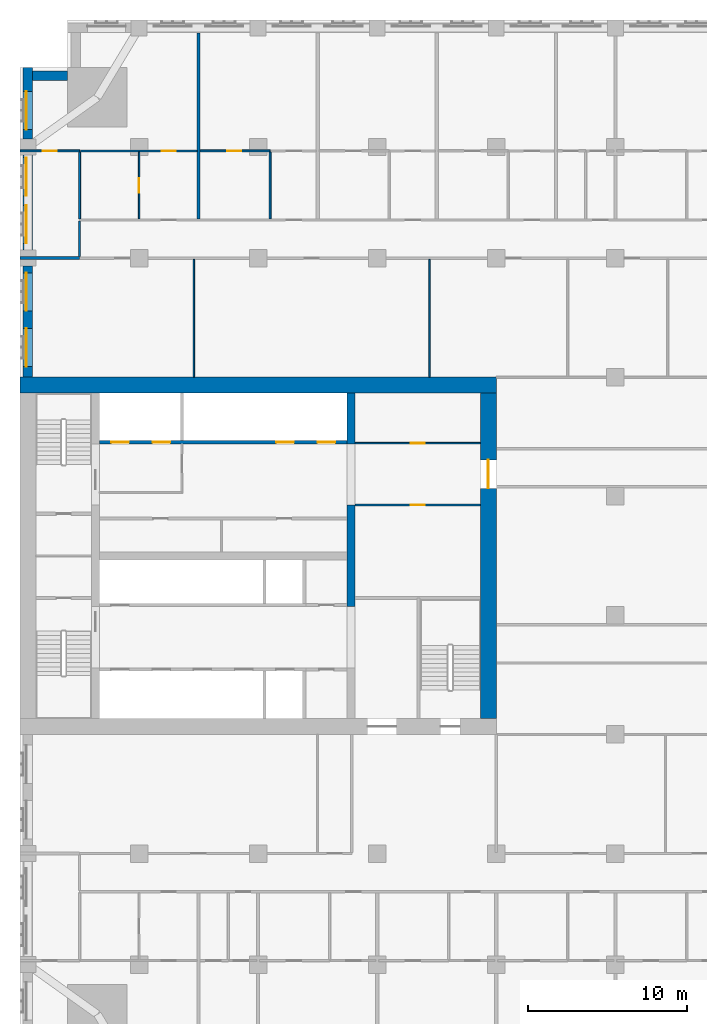
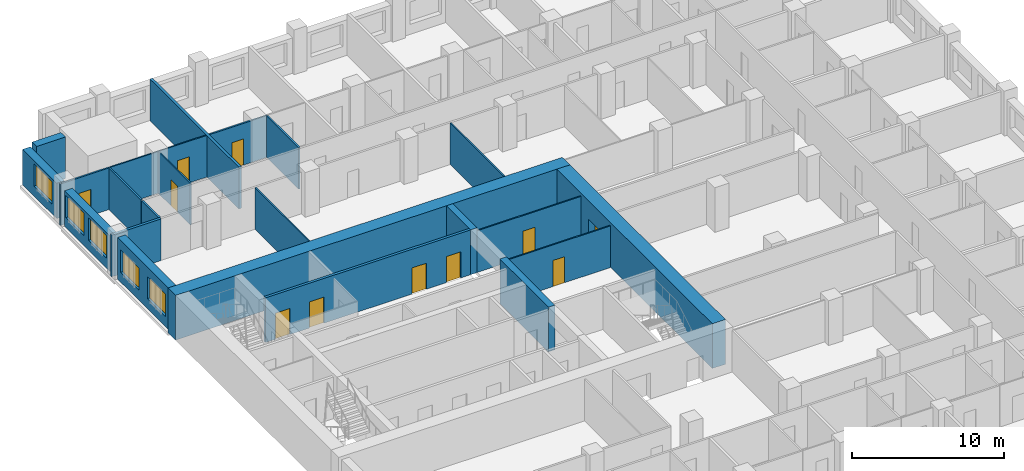
# One storey, part 8 of 14: 22 walls, 11 doors, 5 windows, 16 openings.
"""IFC4 building model written with IfcOpenShell, lengths in metres."""

from ifc_helpers import new_model, si_unit, direction, frame, frame_2d, origin, place, context, subcontext, project, spatial, rectangle, extrude, material, layer, layer_set, type_object, element, fill, save


model = new_model("IFC4")

# Units and contexts
model_context = context("Model", 3, precision=1e-05, world=origin(), true_north=direction((0.0, 1.0)))
body_context = subcontext(model_context, "Body", "Model", "MODEL_VIEW")
ifc_project = project(units=[si_unit("LENGTHUNIT", "METRE"), si_unit("AREAUNIT", "SQUARE_METRE"), si_unit("VOLUMEUNIT", "CUBIC_METRE"), si_unit("PLANEANGLEUNIT", "RADIAN"), si_unit("MASSUNIT", "GRAM", prefix="KILO")], contexts=[model_context])

# Site, building, storey
site_placement = place(None, origin())
site = spatial("IfcSite", under=ifc_project, at=site_placement, CompositionType="ELEMENT")
building_placement = place(site_placement, origin())
building = spatial("IfcBuilding", under=site, at=building_placement, Name="Tamorin Gate", CompositionType="ELEMENT")
storey_placement = place(building_placement, frame((0.0, 0.0, 100.699951171875)))
storey = spatial("IfcBuildingStorey", under=building, at=storey_placement, Name="L24", CompositionType="ELEMENT", Elevation=100.699951171875)

# Wall
ifc_material_1 = material(Name="Precast concrete C40/50", Category="concrete")
ifc_layer_1 = layer(ifc_material_1, 0.60009765625)
ifc_layer_set_1 = layer_set([ifc_layer_1], Name="Precast concrete C40/50")
wall_type_1 = type_object("IfcWallType", Name="Board-marked concrete facade panel 600", PredefinedType="SOLIDWALL", material=ifc_layer_set_1)
wall_1_placement = place(storey_placement, frame((33.0, 101.5, 0.0), z_axis=(0.0, 0.0, 1.0), x_axis=(-1.0, 0.0, 0.0)))
element("IfcWall", 1, at=wall_1_placement, inside=storey, type_object=wall_type_1, Name="Facade panel", PredefinedType="SOLIDWALL", context=body_context, shape_type="SweptSolid", body=[
    extrude(rectangle(XDim=2.199951171875, YDim=0.60009765625, at=frame_2d((1.10009765625, 0.0))), origin(), (0.0, 0.0, 1.0), 3.35009765625),
])

# Wall, opening, window
wall_2_placement = place(storey_placement, frame((30.5, 102.0, 0.0), z_axis=(0.0, 0.0, 1.0), x_axis=(0.0, -1.0, 0.0)))
wall_2 = element("IfcWall", 2, at=wall_2_placement, inside=storey, type_object=wall_type_1, Name="Facade panel", PredefinedType="SOLIDWALL", context=body_context, shape_type="SweptSolid", body=[
    extrude(rectangle(XDim=4.5, YDim=0.60009765625, at=frame_2d((2.25, 0.0))), origin(), (0.0, 0.0, 1.0), 2.85009765625),
])
opening_1_placement = place(wall_2_placement, frame((1.5, 0.0, 0.800048828125)))
opening_1 = element("IfcOpeningElement", 3, at=opening_1_placement, cuts=wall_2, Name="Opening WN1", PredefinedType="OPENING", context=body_context, shape_type="SweptSolid", body=[
    extrude(rectangle(XDim=2.39990234375, YDim=1.800048828125, at=frame_2d((1.199951171875, 0.89990234375))), frame((0.0, 0.31005859375, 0.0), z_axis=(0.0, -1.0, 0.0), x_axis=(1.0, 0.0, 0.0)), (0.0, 0.0, 1.0), 0.6201171875),
])
ifc_material_2 = material(Name="Clear glass in aluminium frame", Category="aluminium")
window_type = type_object("IfcWindowType", Name="Deep-set window 2400x1800", PartitioningType="SINGLE_PANEL", PredefinedType="WINDOW", material=ifc_material_2)
window_1_placement = place(opening_1_placement, origin())
window_1 = element("IfcWindow", 4, at=window_1_placement, inside=storey, type_object=window_type, Name="Deep-set window", OverallHeight=1.800048828125, OverallWidth=2.39990234375, PartitioningType="SINGLE_PANEL", PredefinedType="WINDOW", context=body_context, shape_type="SweptSolid", body=[
    extrude(rectangle(XDim=2.39990234375, YDim=1.800048828125, at=frame_2d((1.199951171875, 0.89990234375))), frame((0.0, -0.070068359375, 0.0), z_axis=(0.0, -1.0, 0.0), x_axis=(1.0, 0.0, 0.0)), (0.0, 0.0, 1.0), 0.06005859375),
])
fill(opening_1, window_1)

# Wall, openings, windows
wall_3_placement = place(storey_placement, frame((30.5, 96.5, 0.0), z_axis=(0.0, 0.0, 1.0), x_axis=(0.0, -1.0, 0.0)))
wall_3 = element("IfcWall", 5, at=wall_3_placement, inside=storey, type_object=wall_type_1, Name="Facade panel", PredefinedType="SOLIDWALL", context=body_context, shape_type="SweptSolid", body=[
    extrude(rectangle(XDim=6.0, YDim=0.60009765625, at=frame_2d((3.0, 0.0))), origin(), (0.0, 0.0, 1.0), 2.85009765625),
])
opening_2_placement = place(wall_3_placement, frame((3.175048828125, 0.0, 0.800048828125)))
opening_2 = element("IfcOpeningElement", 6, at=opening_2_placement, cuts=wall_3, Name="Opening WN1", PredefinedType="OPENING", context=body_context, shape_type="SweptSolid", body=[
    extrude(rectangle(XDim=2.39990234375, YDim=1.800048828125, at=frame_2d((1.199951171875, 0.89990234375))), frame((0.0, 0.31005859375, 0.0), z_axis=(0.0, -1.0, 0.0), x_axis=(1.0, 0.0, 0.0)), (0.0, 0.0, 1.0), 0.6201171875),
])
opening_3_placement = place(wall_3_placement, frame((0.175048828125, 0.0, 0.800048828125)))
opening_3 = element("IfcOpeningElement", 7, at=opening_3_placement, cuts=wall_3, Name="Opening WN1", PredefinedType="OPENING", context=body_context, shape_type="SweptSolid", body=[
    extrude(rectangle(XDim=2.39990234375, YDim=1.800048828125, at=frame_2d((1.199951171875, 0.89990234375))), frame((0.0, 0.31005859375, 0.0), z_axis=(0.0, -1.0, 0.0), x_axis=(1.0, 0.0, 0.0)), (0.0, 0.0, 1.0), 0.6201171875),
])
window_2_placement = place(opening_2_placement, origin())
window_2 = element("IfcWindow", 8, at=window_2_placement, inside=storey, type_object=window_type, Name="Deep-set window", OverallHeight=1.800048828125, OverallWidth=2.39990234375, PartitioningType="SINGLE_PANEL", PredefinedType="WINDOW", context=body_context, shape_type="SweptSolid", body=[
    extrude(rectangle(XDim=2.39990234375, YDim=1.800048828125, at=frame_2d((1.199951171875, 0.89990234375))), frame((0.0, -0.070068359375, 0.0), z_axis=(0.0, -1.0, 0.0), x_axis=(1.0, 0.0, 0.0)), (0.0, 0.0, 1.0), 0.06005859375),
])
fill(opening_2, window_2)
window_3_placement = place(opening_3_placement, origin())
window_3 = element("IfcWindow", 9, at=window_3_placement, inside=storey, type_object=window_type, Name="Deep-set window", OverallHeight=1.800048828125, OverallWidth=2.39990234375, PartitioningType="SINGLE_PANEL", PredefinedType="WINDOW", context=body_context, shape_type="SweptSolid", body=[
    extrude(rectangle(XDim=2.39990234375, YDim=1.800048828125, at=frame_2d((1.199951171875, 0.89990234375))), frame((0.0, -0.070068359375, 0.0), z_axis=(0.0, -1.0, 0.0), x_axis=(1.0, 0.0, 0.0)), (0.0, 0.0, 1.0), 0.06005859375),
])
fill(opening_3, window_3)

wall_4_placement = place(storey_placement, frame((30.5, 89.5, 0.0), z_axis=(0.0, 0.0, 1.0), x_axis=(0.0, -1.0, 0.0)))
wall_4 = element("IfcWall", 10, at=wall_4_placement, inside=storey, type_object=wall_type_1, Name="Facade panel", PredefinedType="SOLIDWALL", context=body_context, shape_type="SweptSolid", body=[
    extrude(rectangle(XDim=7.0, YDim=0.60009765625, at=frame_2d((3.5, 0.0))), origin(), (0.0, 0.0, 1.0), 3.35009765625),
])
opening_4_placement = place(wall_4_placement, frame((3.925048828125, 0.0, 0.800048828125)))
opening_4 = element("IfcOpeningElement", 11, at=opening_4_placement, cuts=wall_4, Name="Opening WN1", PredefinedType="OPENING", context=body_context, shape_type="SweptSolid", body=[
    extrude(rectangle(XDim=2.39990234375, YDim=1.800048828125, at=frame_2d((1.199951171875, 0.89990234375))), frame((0.0, 0.31005859375, 0.0), z_axis=(0.0, -1.0, 0.0), x_axis=(1.0, 0.0, 0.0)), (0.0, 0.0, 1.0), 0.6201171875),
])
opening_5_placement = place(wall_4_placement, frame((0.425048828125, 0.0, 0.800048828125)))
opening_5 = element("IfcOpeningElement", 12, at=opening_5_placement, cuts=wall_4, Name="Opening WN1", PredefinedType="OPENING", context=body_context, shape_type="SweptSolid", body=[
    extrude(rectangle(XDim=2.39990234375, YDim=1.800048828125, at=frame_2d((1.199951171875, 0.89990234375))), frame((0.0, 0.31005859375, 0.0), z_axis=(0.0, -1.0, 0.0), x_axis=(1.0, 0.0, 0.0)), (0.0, 0.0, 1.0), 0.6201171875),
])
window_4_placement = place(opening_4_placement, origin())
window_4 = element("IfcWindow", 13, at=window_4_placement, inside=storey, type_object=window_type, Name="Deep-set window", OverallHeight=1.800048828125, OverallWidth=2.39990234375, PartitioningType="SINGLE_PANEL", PredefinedType="WINDOW", context=body_context, shape_type="SweptSolid", body=[
    extrude(rectangle(XDim=2.39990234375, YDim=1.800048828125, at=frame_2d((1.199951171875, 0.89990234375))), frame((0.0, -0.070068359375, 0.0), z_axis=(0.0, -1.0, 0.0), x_axis=(1.0, 0.0, 0.0)), (0.0, 0.0, 1.0), 0.06005859375),
])
fill(opening_4, window_4)
window_5_placement = place(opening_5_placement, origin())
window_5 = element("IfcWindow", 14, at=window_5_placement, inside=storey, type_object=window_type, Name="Deep-set window", OverallHeight=1.800048828125, OverallWidth=2.39990234375, PartitioningType="SINGLE_PANEL", PredefinedType="WINDOW", context=body_context, shape_type="SweptSolid", body=[
    extrude(rectangle(XDim=2.39990234375, YDim=1.800048828125, at=frame_2d((1.199951171875, 0.89990234375))), frame((0.0, -0.070068359375, 0.0), z_axis=(0.0, -1.0, 0.0), x_axis=(1.0, 0.0, 0.0)), (0.0, 0.0, 1.0), 0.06005859375),
])
fill(opening_5, window_5)

# Walls
ifc_material_3 = material(Name="Gypsum board partition")
ifc_layer_2 = layer(ifc_material_3, 0.14990234375)
ifc_layer_set_2 = layer_set([ifc_layer_2], Name="Corridor wall 150")
wall_type_2 = type_object("IfcWallType", Name="Corridor wall 150", PredefinedType="PARTITIONING", material=ifc_layer_set_2)
wall_5_placement = place(storey_placement, frame((33.75, 90.10009765625, 0.0), z_axis=(0.0, 0.0, 1.0), x_axis=(0.0, 1.0, 0.0)))
element("IfcWall", 15, at=wall_5_placement, inside=storey, type_object=wall_type_2, Name="Corridor wall 150", PredefinedType="PARTITIONING", context=body_context, shape_type="SweptSolid", body=[
    extrude(rectangle(XDim=2.224853515625, YDim=0.14990234375, at=frame_2d((1.1123046875, 0.0))), origin(), (0.0, 0.0, 1.0), 3.35009765625),
])
ifc_layer_3 = layer(ifc_material_3, 0.199951171875)
ifc_layer_set_3 = layer_set([ifc_layer_3], Name="Demising wall 200")
wall_type_3 = type_object("IfcWallType", Name="Demising wall 200", PredefinedType="PARTITIONING", material=ifc_layer_set_3)
wall_6_placement = place(storey_placement, frame((30.0, 90.0, 0.0), z_axis=(0.0, 0.0, 1.0), x_axis=(1.0, 0.0, 0.0)))
element("IfcWall", 16, at=wall_6_placement, inside=storey, type_object=wall_type_3, Name="Demising wall 200", PredefinedType="PARTITIONING", context=body_context, shape_type="SweptSolid", body=[
    extrude(rectangle(XDim=3.75, YDim=0.199951171875, at=frame_2d((1.875, 0.0))), origin(), (0.0, 0.0, 1.0), 3.35009765625),
])
wall_7_placement = place(storey_placement, frame((41.25, 92.47509765625, 0.0), z_axis=(0.0, 0.0, 1.0), x_axis=(0.0, 1.0, 0.0)))
element("IfcWall", 17, at=wall_7_placement, inside=storey, type_object=wall_type_3, Name="Demising wall 200", PredefinedType="PARTITIONING", context=body_context, shape_type="SweptSolid", body=[
    extrude(rectangle(XDim=11.71484375, YDim=0.199951171875, at=frame_2d((5.857421875, 0.0))), origin(), (0.0, 0.0, 1.0), 3.35009765625),
])

# Wall, openings, doors
ifc_material_4 = material(Name="Concrete C32/40", Category="concrete")
ifc_layer_4 = layer(ifc_material_4, 0.199951171875)
ifc_layer_set_4 = layer_set([ifc_layer_4], Name="Lift lobby face wall 200 EI 120")
wall_type_4 = type_object("IfcWallType", Name="Lift lobby face wall 200 EI 120", PredefinedType="SOLIDWALL", material=ifc_layer_set_4)
wall_8_placement = place(storey_placement, frame((35.0, 78.39990234375, 0.0), z_axis=(0.0, 0.0, 1.0), x_axis=(1.0, 0.0, 0.0)))
wall_8 = element("IfcWall", 18, at=wall_8_placement, inside=storey, type_object=wall_type_4, Name="Lift lobby face wall", PredefinedType="SOLIDWALL", context=body_context, shape_type="SweptSolid", body=[
    extrude(rectangle(XDim=15.60009765625, YDim=0.199951171875, at=frame_2d((7.800048828125, 0.0))), origin(), (0.0, 0.0, 1.0), 3.60009765625),
])
opening_6_placement = place(wall_8_placement, frame((0.75, 0.0, 0.0)))
opening_6 = element("IfcOpeningElement", 19, at=opening_6_placement, cuts=wall_8, Name="Opening LD17", PredefinedType="OPENING", context=body_context, shape_type="SweptSolid", body=[
    extrude(rectangle(XDim=1.10009765625, YDim=2.10009765625, at=frame_2d((0.550048828125, 1.050048828125))), frame((0.0, 0.10986328125, 0.0), z_axis=(0.0, -1.0, 0.0), x_axis=(1.0, 0.0, 0.0)), (0.0, 0.0, 1.0), 0.219970703125),
])
opening_7_placement = place(wall_8_placement, frame((3.35009765625, 0.0, 0.0)))
opening_7 = element("IfcOpeningElement", 20, at=opening_7_placement, cuts=wall_8, Name="Opening LD18", PredefinedType="OPENING", context=body_context, shape_type="SweptSolid", body=[
    extrude(rectangle(XDim=1.10009765625, YDim=2.10009765625, at=frame_2d((0.550048828125, 1.050048828125))), frame((0.0, 0.10986328125, 0.0), z_axis=(0.0, -1.0, 0.0), x_axis=(1.0, 0.0, 0.0)), (0.0, 0.0, 1.0), 0.219970703125),
])
opening_8_placement = place(wall_8_placement, frame((11.14990234375, 0.0, 0.0)))
opening_8 = element("IfcOpeningElement", 21, at=opening_8_placement, cuts=wall_8, Name="Opening LD21", PredefinedType="OPENING", context=body_context, shape_type="SweptSolid", body=[
    extrude(rectangle(XDim=1.10009765625, YDim=2.10009765625, at=frame_2d((0.550048828125, 1.050048828125))), frame((0.0, 0.10986328125, 0.0), z_axis=(0.0, -1.0, 0.0), x_axis=(1.0, 0.0, 0.0)), (0.0, 0.0, 1.0), 0.219970703125),
])
opening_9_placement = place(wall_8_placement, frame((13.75, 0.0, 0.0)))
opening_9 = element("IfcOpeningElement", 22, at=opening_9_placement, cuts=wall_8, Name="Opening LD22", PredefinedType="OPENING", context=body_context, shape_type="SweptSolid", body=[
    extrude(rectangle(XDim=1.10009765625, YDim=2.10009765625, at=frame_2d((0.550048828125, 1.050048828125))), frame((0.0, 0.10986328125, 0.0), z_axis=(0.0, -1.0, 0.0), x_axis=(1.0, 0.0, 0.0)), (0.0, 0.0, 1.0), 0.219970703125),
])
ifc_material_5 = material(Name="Stainless steel sliding door", Category="steel")
door_type_1 = type_object("IfcDoorType", Name="Lift landing door 1100 x 2100 E 90", OperationType="DOUBLE_DOOR_SLIDING", PredefinedType="DOOR", material=ifc_material_5)
door_1_placement = place(opening_6_placement, origin())
door_1 = element("IfcDoor", 23, at=door_1_placement, inside=storey, type_object=door_type_1, Name="FF1 landing door", OperationType="DOUBLE_DOOR_SLIDING", OverallHeight=2.10009765625, OverallWidth=1.10009765625, PredefinedType="DOOR", context=body_context, shape_type="SweptSolid", body=[
    extrude(rectangle(XDim=1.10009765625, YDim=2.10009765625, at=frame_2d((0.550048828125, 1.050048828125))), frame((0.0, 0.02490234375, 0.0), z_axis=(0.0, -1.0, 0.0), x_axis=(1.0, 0.0, 0.0)), (0.0, 0.0, 1.0), 0.050048828125),
])
fill(opening_6, door_1)
door_2_placement = place(opening_7_placement, origin())
door_2 = element("IfcDoor", 24, at=door_2_placement, inside=storey, type_object=door_type_1, Name="FF2 landing door", OperationType="DOUBLE_DOOR_SLIDING", OverallHeight=2.10009765625, OverallWidth=1.10009765625, PredefinedType="DOOR", context=body_context, shape_type="SweptSolid", body=[
    extrude(rectangle(XDim=1.10009765625, YDim=2.10009765625, at=frame_2d((0.550048828125, 1.050048828125))), frame((0.0, 0.02490234375, 0.0), z_axis=(0.0, -1.0, 0.0), x_axis=(1.0, 0.0, 0.0)), (0.0, 0.0, 1.0), 0.050048828125),
])
fill(opening_7, door_2)
door_3_placement = place(opening_8_placement, origin())
door_3 = element("IfcDoor", 25, at=door_3_placement, inside=storey, type_object=door_type_1, Name="SV1 landing door", OperationType="DOUBLE_DOOR_SLIDING", OverallHeight=2.10009765625, OverallWidth=1.10009765625, PredefinedType="DOOR", context=body_context, shape_type="SweptSolid", body=[
    extrude(rectangle(XDim=1.10009765625, YDim=2.10009765625, at=frame_2d((0.550048828125, 1.050048828125))), frame((0.0, 0.02490234375, 0.0), z_axis=(0.0, -1.0, 0.0), x_axis=(1.0, 0.0, 0.0)), (0.0, 0.0, 1.0), 0.050048828125),
])
fill(opening_8, door_3)
door_4_placement = place(opening_9_placement, origin())
door_4 = element("IfcDoor", 26, at=door_4_placement, inside=storey, type_object=door_type_1, Name="SV2 landing door", OperationType="DOUBLE_DOOR_SLIDING", OverallHeight=2.10009765625, OverallWidth=1.10009765625, PredefinedType="DOOR", context=body_context, shape_type="SweptSolid", body=[
    extrude(rectangle(XDim=1.10009765625, YDim=2.10009765625, at=frame_2d((0.550048828125, 1.050048828125))), frame((0.0, 0.02490234375, 0.0), z_axis=(0.0, -1.0, 0.0), x_axis=(1.0, 0.0, 0.0)), (0.0, 0.0, 1.0), 0.050048828125),
])
fill(opening_9, door_4)

# Walls
ifc_material_6 = material(Name="Concrete C80/95", Category="concrete")
ifc_layer_5 = layer(ifc_material_6, 0.5)
ifc_layer_set_5 = layer_set([ifc_layer_5], Name="RC core internal wall 500 C80/95")
wall_type_5 = type_object("IfcWallType", Name="RC core internal wall 500 C80/95", PredefinedType="SHEAR", material=ifc_layer_set_5)
wall_9_placement = place(storey_placement, frame((50.85009765625, 68.050048828125, 0.0), z_axis=(0.0, 0.0, 1.0), x_axis=(0.0, 1.0, 0.0)))
element("IfcWall", 27, at=wall_9_placement, inside=storey, type_object=wall_type_5, Name="Core cross wall L24", PredefinedType="SHEAR", context=body_context, shape_type="SweptSolid", body=[
    extrude(rectangle(XDim=6.39990234375, YDim=0.5, at=frame_2d((3.199951171875, 0.0))), origin(), (0.0, 0.0, 1.0), 3.60009765625),
])
wall_10_placement = place(storey_placement, frame((50.85009765625, 78.300048828125, 0.0), z_axis=(0.0, 0.0, 1.0), x_axis=(0.0, 1.0, 0.0)))
element("IfcWall", 28, at=wall_10_placement, inside=storey, type_object=wall_type_5, Name="Core cross wall L24", PredefinedType="SHEAR", context=body_context, shape_type="SweptSolid", body=[
    extrude(rectangle(XDim=3.199951171875, YDim=0.5, at=frame_2d((1.60009765625, 0.0))), origin(), (0.0, 0.0, 1.0), 3.60009765625),
])
ifc_layer_6 = layer(ifc_material_6, 1.0)
ifc_layer_set_6 = layer_set([ifc_layer_6], Name="RC core wall 1000 C80/95")
wall_type_6 = type_object("IfcWallType", Name="RC core wall 1000 C80/95", PredefinedType="SHEAR", material=ifc_layer_set_6)
wall_11_placement = place(storey_placement, frame((30.0, 82.0, 0.0), z_axis=(0.0, 0.0, 1.0), x_axis=(1.0, 0.0, 0.0)))
element("IfcWall", 29, at=wall_11_placement, inside=storey, type_object=wall_type_6, Name="Core wall L24", PredefinedType="SHEAR", context=body_context, shape_type="SweptSolid", body=[
    extrude(rectangle(XDim=30.0, YDim=1.0, at=frame_2d((15.0, 0.0))), origin(), (0.0, 0.0, 1.0), 3.60009765625),
])

# Wall, opening, door
wall_12_placement = place(storey_placement, frame((59.5, 61.0, 0.0), z_axis=(0.0, 0.0, 1.0), x_axis=(0.0, 1.0, 0.0)))
wall_12 = element("IfcWall", 30, at=wall_12_placement, inside=storey, type_object=wall_type_6, Name="Core wall L24", PredefinedType="SHEAR", context=body_context, shape_type="SweptSolid", body=[
    extrude(rectangle(XDim=20.5, YDim=1.0, at=frame_2d((10.25, 0.0))), origin(), (0.0, 0.0, 1.0), 3.60009765625),
])
opening_10_placement = place(wall_12_placement, frame((14.5, 0.0, 0.0)))
opening_10 = element("IfcOpeningElement", 31, at=opening_10_placement, cuts=wall_12, Name="Opening DE1", PredefinedType="OPENING", context=body_context, shape_type="SweptSolid", body=[
    extrude(rectangle(XDim=1.800048828125, YDim=2.10009765625, at=frame_2d((0.89990234375, 1.050048828125))), frame((0.0, 0.510009765625, 0.0), z_axis=(0.0, -1.0, 0.0), x_axis=(1.0, 0.0, 0.0)), (0.0, 0.0, 1.0), 1.02001953125),
])
ifc_material_7 = material(Name="Steel fire door", Category="steel")
door_type_2 = type_object("IfcDoorType", Name="Lobby exit double door 1800 x 2100 EI 60", OperationType="DOUBLE_DOOR_SINGLE_SWING", PredefinedType="DOOR", material=ifc_material_7)
door_5_placement = place(opening_10_placement, origin())
door_5 = element("IfcDoor", 32, at=door_5_placement, inside=storey, type_object=door_type_2, Name="Lift lobby B exit door", OperationType="DOUBLE_DOOR_SINGLE_SWING", OverallHeight=2.10009765625, OverallWidth=1.800048828125, PredefinedType="DOOR", context=body_context, shape_type="SweptSolid", body=[
    extrude(rectangle(XDim=1.800048828125, YDim=2.10009765625, at=frame_2d((0.89990234375, 1.050048828125))), frame((0.0, 0.02490234375, 0.0), z_axis=(0.0, -1.0, 0.0), x_axis=(1.0, 0.0, 0.0)), (0.0, 0.0, 1.0), 0.050048828125),
])
fill(opening_10, door_5)

ifc_layer_7 = layer(ifc_material_3, 0.10009765625)
ifc_layer_set_7 = layer_set([ifc_layer_7], Name="Room partition 100")
wall_type_7 = type_object("IfcWallType", Name="Room partition 100", PredefinedType="PARTITIONING", material=ifc_layer_set_7)
wall_13_placement = place(storey_placement, frame((33.8125, 96.75, 0.0), z_axis=(0.0, 0.0, 1.0), x_axis=(1.0, 0.0, 0.0)))
wall_13 = element("IfcWall", 33, at=wall_13_placement, inside=storey, type_object=wall_type_7, Name="Room partition 100", PredefinedType="PARTITIONING", context=body_context, shape_type="SweptSolid", body=[
    extrude(rectangle(XDim=7.33740234375, YDim=0.10009765625, at=frame_2d((3.668701171875, 0.0))), origin(), (0.0, 0.0, 1.0), 3.35009765625),
])
opening_11_placement = place(wall_13_placement, frame((5.112548828125, 0.0, 0.0)))
opening_11 = element("IfcOpeningElement", 34, at=opening_11_placement, cuts=wall_13, Name="Opening DH7023", PredefinedType="OPENING", context=body_context, shape_type="SweptSolid", body=[
    extrude(rectangle(XDim=0.89990234375, YDim=2.10009765625, at=frame_2d((0.449951171875, 1.050048828125))), frame((0.0, 0.06005859375, 0.0), z_axis=(0.0, -1.0, 0.0), x_axis=(1.0, 0.0, 0.0)), (0.0, 0.0, 1.0), 0.1201171875),
])
ifc_material_8 = material(Name="Timber door leaf", Category="wood")
door_type_3 = type_object("IfcDoorType", Name="Door 900 x 2100", OperationType="NOTDEFINED", PredefinedType="DOOR", material=ifc_material_8)
door_6_placement = place(opening_11_placement, origin())
door_6 = element("IfcDoor", 35, at=door_6_placement, inside=storey, type_object=door_type_3, Name="Door DH7023", OperationType="SINGLE_SWING_RIGHT", OverallHeight=2.10009765625, OverallWidth=0.89990234375, PredefinedType="DOOR", context=body_context, shape_type="SweptSolid", body=[
    extrude(rectangle(XDim=0.89990234375, YDim=2.10009765625, at=frame_2d((0.449951171875, 1.050048828125))), frame((0.0, 0.02490234375, 0.0), z_axis=(0.0, -1.0, 0.0), x_axis=(1.0, 0.0, 0.0)), (0.0, 0.0, 1.0), 0.050048828125),
])
fill(opening_11, door_6)

wall_14_placement = place(storey_placement, frame((37.5, 92.47509765625, 0.0), z_axis=(0.0, 0.0, 1.0), x_axis=(0.0, 1.0, 0.0)))
wall_14 = element("IfcWall", 36, at=wall_14_placement, inside=storey, type_object=wall_type_7, Name="Room partition 100", PredefinedType="PARTITIONING", context=body_context, shape_type="SweptSolid", body=[
    extrude(rectangle(XDim=4.224853515625, YDim=0.10009765625, at=frame_2d((2.1123046875, 0.0))), origin(), (0.0, 0.0, 1.0), 3.35009765625),
])
opening_12_placement = place(wall_14_placement, frame((1.64990234375, 0.0, 0.0)))
opening_12 = element("IfcOpeningElement", 37, at=opening_12_placement, cuts=wall_14, Name="Opening DH7021", PredefinedType="OPENING", context=body_context, shape_type="SweptSolid", body=[
    extrude(rectangle(XDim=0.89990234375, YDim=2.10009765625, at=frame_2d((0.449951171875, 1.050048828125))), frame((0.0, 0.06005859375, 0.0), z_axis=(0.0, -1.0, 0.0), x_axis=(1.0, 0.0, 0.0)), (0.0, 0.0, 1.0), 0.1201171875),
])
door_7_placement = place(opening_12_placement, origin())
door_7 = element("IfcDoor", 38, at=door_7_placement, inside=storey, type_object=door_type_3, Name="Door DH7021", OperationType="SINGLE_SWING_RIGHT", OverallHeight=2.10009765625, OverallWidth=0.89990234375, PredefinedType="DOOR", context=body_context, shape_type="SweptSolid", body=[
    extrude(rectangle(XDim=0.89990234375, YDim=2.10009765625, at=frame_2d((0.449951171875, 1.050048828125))), frame((0.0, 0.02490234375, 0.0), z_axis=(0.0, -1.0, 0.0), x_axis=(1.0, 0.0, 0.0)), (0.0, 0.0, 1.0), 0.050048828125),
])
fill(opening_12, door_7)

# Walls
for number, where, z_axis, x_axis, name in (
    (39, (40.949951171875, 82.5, 0.0), (0.0, 0.0, 1.0), (0.0, 1.0, 0.0), "Room partition 100"),
    (40, (55.800048828125, 82.5, 0.0), (0.0, 0.0, 1.0), (0.0, 1.0, 0.0), "Room partition 100"),
):
    element("IfcWall", number, at=place(storey_placement, frame(where, z_axis=z_axis, x_axis=x_axis)), inside=storey, type_object=wall_type_7, Name=name, PredefinedType="PARTITIONING", context=body_context, shape_type="SweptSolid", body=[
        extrude(rectangle(XDim=7.425048828125, YDim=0.10009765625, at=frame_2d((3.71240234375, 0.0))), origin(), (0.0, 0.0, 1.0), 3.35009765625),
    ])

# Wall, opening, door
ifc_layer_8 = layer(ifc_material_3, 0.10009765625)
ifc_layer_set_8 = layer_set([ifc_layer_8], Name="Service room partition 100 EI 60")
wall_type_8 = type_object("IfcWallType", Name="Service room partition 100 EI 60", PredefinedType="PARTITIONING", material=ifc_layer_set_8)
wall_15_placement = place(storey_placement, frame((51.10009765625, 74.449951171875, 0.0), z_axis=(0.0, 0.0, 1.0), x_axis=(1.0, 0.0, 0.0)))
wall_15 = element("IfcWall", 41, at=wall_15_placement, inside=storey, type_object=wall_type_8, Name="Service room wall", PredefinedType="PARTITIONING", context=body_context, shape_type="SweptSolid", body=[
    extrude(rectangle(XDim=7.89990234375, YDim=0.10009765625, at=frame_2d((3.949951171875, 0.0))), origin(), (0.0, 0.0, 1.0), 3.35009765625),
])
opening_13_placement = place(wall_15_placement, frame((3.5, 0.0, 0.0)))
opening_13 = element("IfcOpeningElement", 42, at=opening_13_placement, cuts=wall_15, Name="Opening DR1", PredefinedType="OPENING", context=body_context, shape_type="SweptSolid", body=[
    extrude(rectangle(XDim=0.89990234375, YDim=2.10009765625, at=frame_2d((0.449951171875, 1.050048828125))), frame((0.0, 0.06005859375, 0.0), z_axis=(0.0, -1.0, 0.0), x_axis=(1.0, 0.0, 0.0)), (0.0, 0.0, 1.0), 0.1201171875),
])
door_type_4 = type_object("IfcDoorType", Name="Riser access door 900 x 2100 EI 120", OperationType="SINGLE_SWING_LEFT", PredefinedType="DOOR", material=ifc_material_7)
door_8_placement = place(opening_13_placement, origin())
door_8 = element("IfcDoor", 43, at=door_8_placement, inside=storey, type_object=door_type_4, Name="Duct riser door", OperationType="SINGLE_SWING_RIGHT", OverallHeight=2.10009765625, OverallWidth=0.89990234375, PredefinedType="DOOR", context=body_context, shape_type="SweptSolid", body=[
    extrude(rectangle(XDim=0.89990234375, YDim=2.10009765625, at=frame_2d((0.449951171875, 1.050048828125))), frame((0.0, 0.02490234375, 0.0), z_axis=(0.0, -1.0, 0.0), x_axis=(1.0, 0.0, 0.0)), (0.0, 0.0, 1.0), 0.050048828125),
])
fill(opening_13, door_8)

wall_16_placement = place(storey_placement, frame((51.10009765625, 78.35009765625, 0.0), z_axis=(0.0, 0.0, 1.0), x_axis=(1.0, 0.0, 0.0)))
wall_16 = element("IfcWall", 44, at=wall_16_placement, inside=storey, type_object=wall_type_8, Name="Service room wall", PredefinedType="PARTITIONING", context=body_context, shape_type="SweptSolid", body=[
    extrude(rectangle(XDim=7.89990234375, YDim=0.10009765625, at=frame_2d((3.949951171875, 0.0))), origin(), (0.0, 0.0, 1.0), 3.35009765625),
])
opening_14_placement = place(wall_16_placement, frame((3.5, 0.0, 0.0)))
opening_14 = element("IfcOpeningElement", 45, at=opening_14_placement, cuts=wall_16, Name="Opening DK1", PredefinedType="OPENING", context=body_context, shape_type="SweptSolid", body=[
    extrude(rectangle(XDim=0.89990234375, YDim=2.10009765625, at=frame_2d((0.449951171875, 1.050048828125))), frame((0.0, 0.06005859375, 0.0), z_axis=(0.0, -1.0, 0.0), x_axis=(1.0, 0.0, 0.0)), (0.0, 0.0, 1.0), 0.1201171875),
])
ifc_material_9 = material(Name="Timber fire door", Category="wood")
door_type_5 = type_object("IfcDoorType", Name="Service room door 900 x 2100 EI 60", OperationType="SINGLE_SWING_LEFT", PredefinedType="DOOR", material=ifc_material_9)
door_9_placement = place(opening_14_placement, origin())
door_9 = element("IfcDoor", 46, at=door_9_placement, inside=storey, type_object=door_type_5, Name="Door Housekeeping office", OperationType="SINGLE_SWING_RIGHT", OverallHeight=2.10009765625, OverallWidth=0.89990234375, PredefinedType="DOOR", context=body_context, shape_type="SweptSolid", body=[
    extrude(rectangle(XDim=0.89990234375, YDim=2.10009765625, at=frame_2d((0.449951171875, 1.050048828125))), frame((0.0, 0.02490234375, 0.0), z_axis=(0.0, -1.0, 0.0), x_axis=(1.0, 0.0, 0.0)), (0.0, 0.0, 1.0), 0.050048828125),
])
fill(opening_14, door_9)

ifc_layer_9 = layer(ifc_material_3, 0.125)
ifc_layer_set_9 = layer_set([ifc_layer_9], Name="Wet wall 125")
wall_type_9 = type_object("IfcWallType", Name="Wet wall 125", PredefinedType="PARTITIONING", material=ifc_layer_set_9)
wall_17_placement = place(storey_placement, frame((30.0, 96.75, 0.0), z_axis=(0.0, 0.0, 1.0), x_axis=(1.0, 0.0, 0.0)))
wall_17 = element("IfcWall", 47, at=wall_17_placement, inside=storey, type_object=wall_type_9, Name="Wet wall 125", PredefinedType="PARTITIONING", context=body_context, shape_type="SweptSolid", body=[
    extrude(rectangle(XDim=3.75, YDim=0.125, at=frame_2d((1.875, 0.0))), origin(), (0.0, 0.0, 1.0), 3.35009765625),
])
opening_15_placement = place(wall_17_placement, frame((1.425048828125, 0.0, 0.0)))
opening_15 = element("IfcOpeningElement", 48, at=opening_15_placement, cuts=wall_17, Name="Opening DH7020", PredefinedType="OPENING", context=body_context, shape_type="SweptSolid", body=[
    extrude(rectangle(XDim=0.89990234375, YDim=2.10009765625, at=frame_2d((0.449951171875, 1.050048828125))), frame((0.0, 0.072509765625, 0.0), z_axis=(0.0, -1.0, 0.0), x_axis=(1.0, 0.0, 0.0)), (0.0, 0.0, 1.0), 0.14501953125),
])
door_10_placement = place(opening_15_placement, origin())
door_10 = element("IfcDoor", 49, at=door_10_placement, inside=storey, type_object=door_type_3, Name="Door DH7020", OperationType="SINGLE_SWING_RIGHT", OverallHeight=2.10009765625, OverallWidth=0.89990234375, PredefinedType="DOOR", context=body_context, shape_type="SweptSolid", body=[
    extrude(rectangle(XDim=0.89990234375, YDim=2.10009765625, at=frame_2d((0.449951171875, 1.050048828125))), frame((0.0, 0.02490234375, 0.0), z_axis=(0.0, -1.0, 0.0), x_axis=(1.0, 0.0, 0.0)), (0.0, 0.0, 1.0), 0.050048828125),
])
fill(opening_15, door_10)

wall_18_placement = place(storey_placement, frame((41.35009765625, 96.75, 0.0), z_axis=(0.0, 0.0, 1.0), x_axis=(1.0, 0.0, 0.0)))
wall_18 = element("IfcWall", 50, at=wall_18_placement, inside=storey, type_object=wall_type_9, Name="Wet wall 125", PredefinedType="PARTITIONING", context=body_context, shape_type="SweptSolid", body=[
    extrude(rectangle(XDim=4.39990234375, YDim=0.125, at=frame_2d((2.199951171875, 0.0))), origin(), (0.0, 0.0, 1.0), 3.35009765625),
])
opening_16_placement = place(wall_18_placement, frame((1.699951171875, 0.0, 0.0)))
opening_16 = element("IfcOpeningElement", 51, at=opening_16_placement, cuts=wall_18, Name="Opening DH7024", PredefinedType="OPENING", context=body_context, shape_type="SweptSolid", body=[
    extrude(rectangle(XDim=0.89990234375, YDim=2.10009765625, at=frame_2d((0.449951171875, 1.050048828125))), frame((0.0, 0.072509765625, 0.0), z_axis=(0.0, -1.0, 0.0), x_axis=(1.0, 0.0, 0.0)), (0.0, 0.0, 1.0), 0.14501953125),
])
door_11_placement = place(opening_16_placement, origin())
door_11 = element("IfcDoor", 52, at=door_11_placement, inside=storey, type_object=door_type_3, Name="Door DH7024", OperationType="SINGLE_SWING_RIGHT", OverallHeight=2.10009765625, OverallWidth=0.89990234375, PredefinedType="DOOR", context=body_context, shape_type="SweptSolid", body=[
    extrude(rectangle(XDim=0.89990234375, YDim=2.10009765625, at=frame_2d((0.449951171875, 1.050048828125))), frame((0.0, 0.02490234375, 0.0), z_axis=(0.0, -1.0, 0.0), x_axis=(1.0, 0.0, 0.0)), (0.0, 0.0, 1.0), 0.050048828125),
])
fill(opening_16, door_11)

# Walls
for number, where, z_axis, x_axis, name in (
    (53, (33.75, 92.47509765625, 0.0), (0.0, 0.0, 1.0), (0.0, 1.0, 0.0), "Wet wall 125"),
    (54, (45.75, 92.47509765625, 0.0), (0.0, 0.0, 1.0), (0.0, 1.0, 0.0), "Wet wall 125"),
):
    element("IfcWall", number, at=place(storey_placement, frame(where, z_axis=z_axis, x_axis=x_axis)), inside=storey, type_object=wall_type_9, Name=name, PredefinedType="PARTITIONING", context=body_context, shape_type="SweptSolid", body=[
        extrude(rectangle(XDim=4.21240234375, YDim=0.125, at=frame_2d((2.106201171875, 0.0))), origin(), (0.0, 0.0, 1.0), 3.35009765625),
    ])

save(model, "model.ifc")
